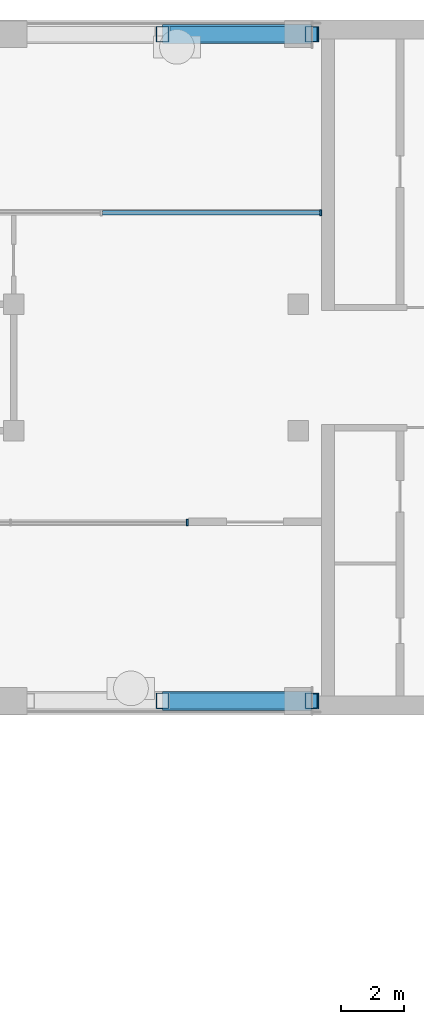
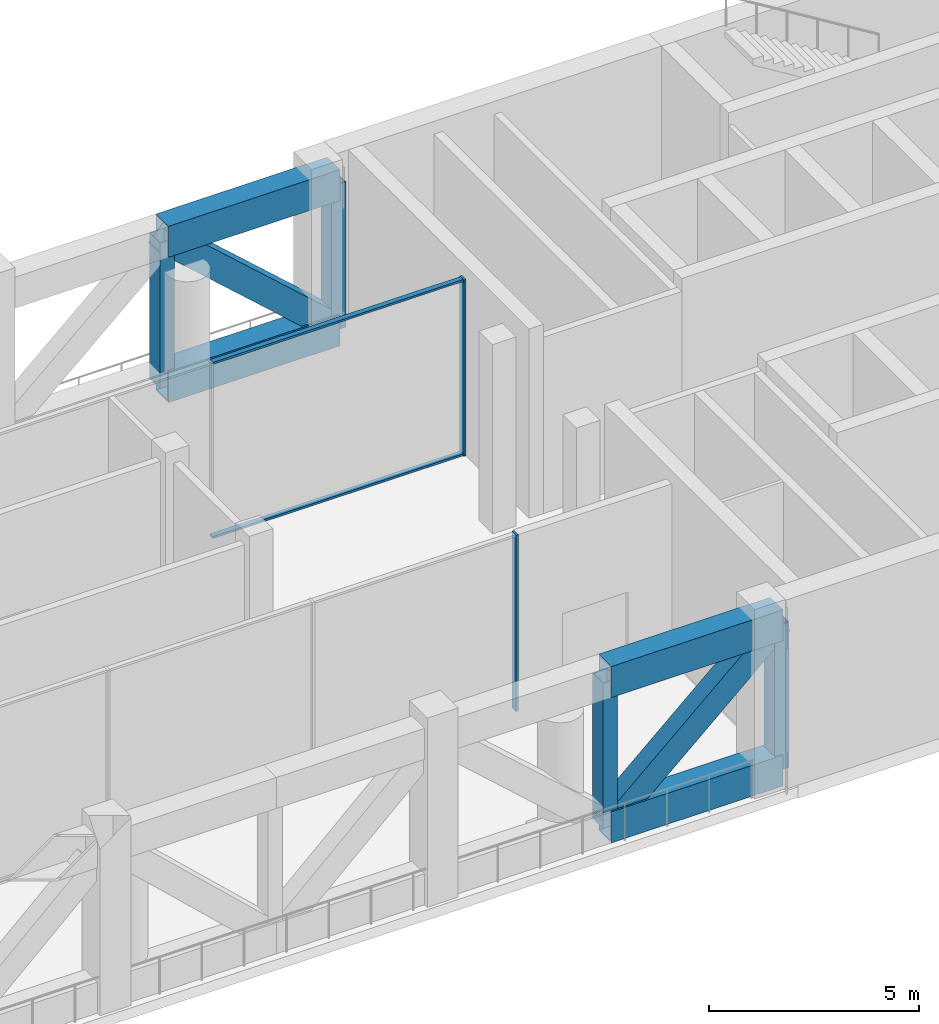
# One storey, part 6 of 19: 14 members, 2 elements without a shape of their own.
"""IFC4 building model written with IfcOpenShell, lengths in metres."""

from ifc_helpers import new_model, si_unit, direction, frame, origin, origin_2d, place, context, subcontext, project, spatial, rectangle, hollow_rectangle, extrude, material, material_profile, profile_set, type_object, element, aggregate, save


model = new_model("IFC4")

# Units and contexts
model_context = context("Model", 3, precision=1e-05, world=origin(), true_north=direction((0.0, 1.0)))
body_context = subcontext(model_context, "Body", "Model", "MODEL_VIEW")
ifc_project = project(units=[si_unit("LENGTHUNIT", "METRE"), si_unit("AREAUNIT", "SQUARE_METRE"), si_unit("VOLUMEUNIT", "CUBIC_METRE"), si_unit("PLANEANGLEUNIT", "RADIAN"), si_unit("MASSUNIT", "GRAM", prefix="KILO")], contexts=[model_context])

# Site, building, storey
site_placement = place(None, origin())
site = spatial("IfcSite", under=ifc_project, at=site_placement, CompositionType="ELEMENT")
building_placement = place(site_placement, origin())
building = spatial("IfcBuilding", under=site, at=building_placement, Name="Skarvind Civic Tower", CompositionType="ELEMENT")
storey_placement = place(building_placement, frame((0.0, 0.0, 129.0)))
storey = spatial("IfcBuildingStorey", under=building, at=storey_placement, Name="L30", CompositionType="ELEMENT", Elevation=129.0)

# Curtain wall, member
ifc_material_1 = material(Name="Aluminium alloy 6063 and laminated glass", Category="aluminium")
curtain_wall_type = type_object("IfcCurtainWallType", Name="CW3 SEPARATOR INNER GLAZING", PredefinedType="NOTDEFINED", material=ifc_material_1)
curtain_wall_1_placement = place(storey_placement, origin())
curtain_wall_1 = element("IfcCurtainWall", 1, at=curtain_wall_1_placement, inside=storey, type_object=curtain_wall_type, Name="SEPARATOR INNER GLAZING", PredefinedType="NOTDEFINED")
ifc_material_2 = material(Name="Aluminium alloy 6063", Category="aluminium")
ifc_material_profile_1 = material_profile(ifc_material_2, rectangle(XDim=0.199951171875, YDim=0.06005859375, at=origin_2d()), Name="AL 60x200")
ifc_profile_set_1 = profile_set([ifc_material_profile_1], Name="Aluminium alloy 6063")
member_type_1 = type_object("IfcMemberType", Name="CW3 MULLION 60x200", PredefinedType="MULLION", material=ifc_profile_set_1)
member_1_placement = place(storey_placement, frame((86.74951171875, 123.10009765625, 0.0), z_axis=(0.0, 0.0, 1.0), x_axis=(0.0, -1.0, 0.0)))
member_1 = element("IfcMember", 2, at=member_1_placement, type_object=member_type_1, Name="CW3 mullion 1", PredefinedType="MULLION", context=body_context, shape_type="SweptSolid", body=[
    extrude(rectangle(XDim=0.199951171875, YDim=0.06005859375, at=origin_2d()), origin(), (0.0, 0.0, 1.0), 5.125),
])
aggregate(curtain_wall_1, [member_1])

# Curtain wall, members
curtain_wall_2_placement = place(storey_placement, origin())
curtain_wall_2 = element("IfcCurtainWall", 3, at=curtain_wall_2_placement, inside=storey, type_object=curtain_wall_type, Name="SEPARATOR INNER GLAZING", PredefinedType="NOTDEFINED")
member_2_placement = place(storey_placement, frame((90.969970703125, 132.89990234375, 0.0), z_axis=(0.0, 0.0, 1.0), x_axis=(0.0, 1.0, 0.0)))
member_2 = element("IfcMember", 4, at=member_2_placement, type_object=member_type_1, Name="CW3 mullion 3", PredefinedType="MULLION", context=body_context, shape_type="SweptSolid", body=[
    extrude(rectangle(XDim=0.199951171875, YDim=0.06005859375, at=origin_2d()), origin(), (0.0, 0.0, 1.0), 5.125),
])
ifc_material_profile_2 = material_profile(ifc_material_2, rectangle(XDim=0.139892578125, YDim=0.06005859375, at=origin_2d()), Name="AL 60x140")
ifc_profile_set_2 = profile_set([ifc_material_profile_2], Name="Aluminium alloy 6063")
member_type_2 = type_object("IfcMemberType", Name="CW3 TRANSOM 60x140", PredefinedType="USERDEFINED", material=ifc_profile_set_2)
member_3_placement = place(storey_placement, frame((84.054931640625, 132.89990234375, 0.030029296875), z_axis=(1.0, 0.0, 0.0), x_axis=(0.0, 1.0, 0.0)))
member_3 = element("IfcMember", 5, at=member_3_placement, type_object=member_type_2, Name="CW3 transom 2.1", ObjectType="TRANSOM", PredefinedType="USERDEFINED", context=body_context, shape_type="SweptSolid", body=[
    extrude(rectangle(XDim=0.139892578125, YDim=0.06005859375, at=origin_2d()), origin(), (0.0, 0.0, 1.0), 6.885009765625),
])
member_4_placement = place(storey_placement, frame((84.054931640625, 132.89990234375, 5.094970703125), z_axis=(1.0, 0.0, 0.0), x_axis=(0.0, 1.0, 0.0)))
member_4 = element("IfcMember", 6, at=member_4_placement, type_object=member_type_2, Name="CW3 transom 2.2", ObjectType="TRANSOM", PredefinedType="USERDEFINED", context=body_context, shape_type="SweptSolid", body=[
    extrude(rectangle(XDim=0.139892578125, YDim=0.06005859375, at=origin_2d()), origin(), (0.0, 0.0, 1.0), 6.885009765625),
])
aggregate(curtain_wall_2, [member_2, member_3, member_4])

# Members
ifc_material_3 = material(Name="Steel SM355", Category="steel")
ifc_material_profile_3 = material_profile(ifc_material_3, hollow_rectangle(XDim=0.60009765625, YDim=0.89990234375, WallThickness=0.0400390625, at=origin_2d()), Name="BOX-900x600x40")
ifc_profile_set_3 = profile_set([ifc_material_profile_3], Name="Steel SM355")
member_type_3 = type_object("IfcMemberType", Name="Truss chord BOX-900x600x40 SM355", PredefinedType="CHORD", material=ifc_profile_set_3)
for number, where, z_axis, x_axis, name in (
    (7, (85.96240234375, 138.550048828125, 0.449951171875), (1.0, 0.0, 0.0), (0.0, 1.0, 0.0), "Outrigger truss L30 W1N chord"),
    (8, (85.96240234375, 138.550048828125, 4.675048828125), (1.0, 0.0, 0.0), (0.0, 1.0, 0.0), "Outrigger truss L30 W1N chord"),
    (9, (85.96240234375, 117.449951171875, 0.449951171875), (1.0, 0.0, 0.0), (0.0, 1.0, 0.0), "Outrigger truss L30 W1S chord"),
    (10, (85.96240234375, 117.449951171875, 4.675048828125), (1.0, 0.0, 0.0), (0.0, 1.0, 0.0), "Outrigger truss L30 W1S chord"),
):
    element("IfcMember", number, at=place(storey_placement, frame(where, z_axis=z_axis, x_axis=x_axis)), inside=storey, type_object=member_type_3, Name=name, PredefinedType="CHORD", context=body_context, shape_type="SweptSolid", body=[
        extrude(hollow_rectangle(XDim=0.60009765625, YDim=0.89990234375, WallThickness=0.0400390625, at=origin_2d()), origin(), (0.0, 0.0, 1.0), 4.712646484375),
    ])
ifc_material_profile_4 = material_profile(ifc_material_3, hollow_rectangle(XDim=0.5, YDim=0.699951171875, WallThickness=0.028076171875, at=origin_2d()), Name="BOX-700x500x28")
ifc_profile_set_4 = profile_set([ifc_material_profile_4], Name="Steel SM355")
member_type_4 = type_object("IfcMemberType", Name="Truss diagonal BOX-700x500x28 SM355", PredefinedType="BRACE", material=ifc_profile_set_4)
for number, where, z_axis, x_axis, name in (
    (11, (85.96240234375, 138.550048828125, 4.675048828125), (0.744572085056, 0.0, -0.667542066206), (0.0, 1.0, 0.0), "Outrigger truss L30 W1N diagonal"),
    (12, (85.96240234375, 117.449951171875, 0.449951171875), (0.744572085056, 0.0, 0.667542066206), (0.0, 1.0, 0.0), "Outrigger truss L30 W1S diagonal"),
):
    element("IfcMember", number, at=place(storey_placement, frame(where, z_axis=z_axis, x_axis=x_axis)), inside=storey, type_object=member_type_4, Name=name, PredefinedType="BRACE", context=body_context, shape_type="SweptSolid", body=[
        extrude(hollow_rectangle(XDim=0.5, YDim=0.699951171875, WallThickness=0.028076171875, at=origin_2d()), origin(), (0.0, 0.0, 1.0), 6.329345703125),
    ])
ifc_material_profile_5 = material_profile(ifc_material_3, hollow_rectangle(XDim=0.39990234375, YDim=0.5, WallThickness=0.02001953125, at=origin_2d()), Name="BOX-500x400x20")
ifc_profile_set_5 = profile_set([ifc_material_profile_5], Name="Steel SM355")
member_type_5 = type_object("IfcMemberType", Name="Truss post BOX-500x400x20 SM355", PredefinedType="POST", material=ifc_profile_set_5)
for number, where, z_axis, x_axis, name in (
    (13, (85.96240234375, 138.550048828125, 0.449951171875), (0.0, 0.0, 1.0), (1.0, 0.0, 0.0), "Outrigger truss L30 W1N post"),
    (14, (90.675048828125, 138.550048828125, 0.449951171875), (0.0, 0.0, 1.0), (1.0, 0.0, 0.0), "Outrigger truss L30 W1N post"),
    (15, (85.96240234375, 117.449951171875, 0.449951171875), (0.0, 0.0, 1.0), (1.0, 0.0, 0.0), "Outrigger truss L30 W1S post"),
    (16, (90.675048828125, 117.449951171875, 0.449951171875), (0.0, 0.0, 1.0), (1.0, 0.0, 0.0), "Outrigger truss L30 W1S post"),
):
    element("IfcMember", number, at=place(storey_placement, frame(where, z_axis=z_axis, x_axis=x_axis)), inside=storey, type_object=member_type_5, Name=name, PredefinedType="POST", context=body_context, shape_type="SweptSolid", body=[
        extrude(hollow_rectangle(XDim=0.39990234375, YDim=0.5, WallThickness=0.02001953125, at=origin_2d()), origin(), (0.0, 0.0, 1.0), 4.22509765625),
    ])

save(model, "model.ifc")
